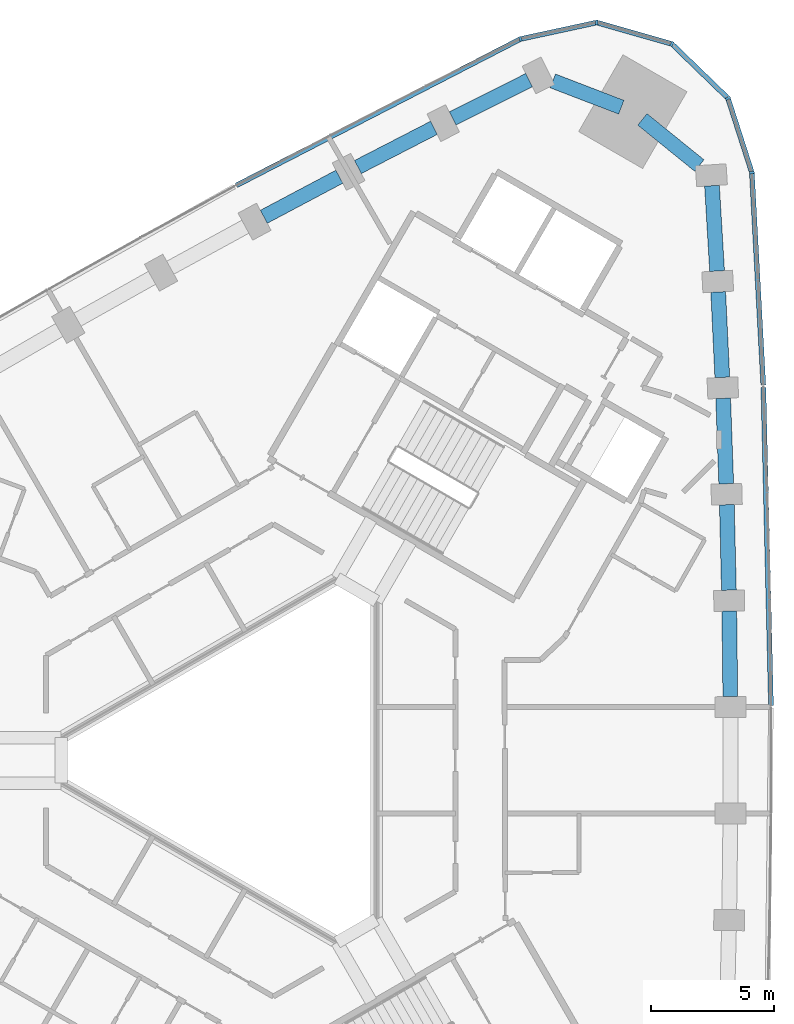
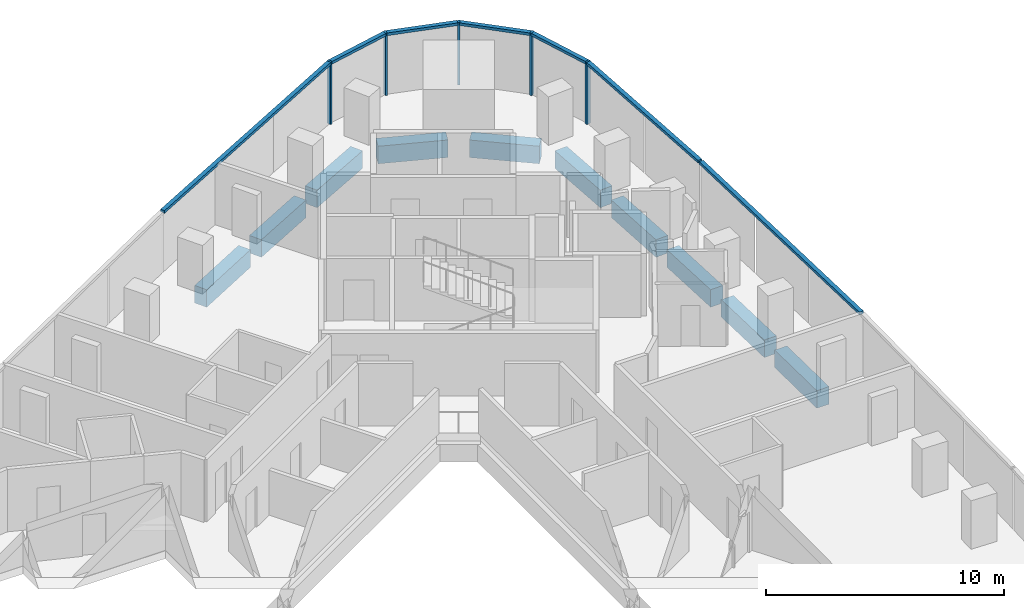
# One storey, part 5 of 13: 12 members, 10 beams, 2 elements without a shape of their own.
"""IFC4 building model written with IfcOpenShell, lengths in metres."""

from ifc_helpers import new_model, si_unit, direction, frame, origin, origin_2d, place, context, subcontext, project, spatial, rectangle, extrude, material, material_profile, profile_set, type_object, element, aggregate, save


model = new_model("IFC4")

# Units and contexts
model_context = context("Model", 3, precision=1e-05, world=origin(), true_north=direction((0.0, 1.0)))
body_context = subcontext(model_context, "Body", "Model", "MODEL_VIEW")
ifc_project = project(units=[si_unit("LENGTHUNIT", "METRE"), si_unit("AREAUNIT", "SQUARE_METRE"), si_unit("VOLUMEUNIT", "CUBIC_METRE"), si_unit("PLANEANGLEUNIT", "RADIAN"), si_unit("MASSUNIT", "GRAM", prefix="KILO")], contexts=[model_context])

# Site, building, storey
site_placement = place(None, origin())
site = spatial("IfcSite", under=ifc_project, at=site_placement, CompositionType="ELEMENT")
building_placement = place(site_placement, origin())
building = spatial("IfcBuilding", under=site, at=building_placement, Name="Tamra Quay Hotel Tower", CompositionType="ELEMENT")
storey_placement = place(building_placement, frame((0.0, 0.0, 161.199951171875)))
storey = spatial("IfcBuildingStorey", under=building, at=storey_placement, Name="L40", CompositionType="ELEMENT", Elevation=161.199951171875)

# Curtain wall, members
ifc_material_1 = material(Name="Aluminium 6063 anodised dark grey", Category="aluminium")
curtain_wall_type_1 = type_object("IfcCurtainWallType", Name="CW1 CURTAIN WALL", PredefinedType="NOTDEFINED", material=ifc_material_1)
curtain_wall_1_placement = place(storey_placement, origin())
curtain_wall_1 = element("IfcCurtainWall", 1, at=curtain_wall_1_placement, inside=storey, type_object=curtain_wall_type_1, Name="CW1 east face L40", PredefinedType="NOTDEFINED")
ifc_material_profile_1 = material_profile(ifc_material_1, rectangle(XDim=0.199951171875, YDim=0.10009765625, at=origin_2d()), Name="MULLION 100X200")
ifc_profile_set_1 = profile_set([ifc_material_profile_1], Name="Aluminium 6063 anodised dark grey")
member_type_1 = type_object("IfcMemberType", Name="MULLION CW1 Z3", PredefinedType="MULLION", material=ifc_profile_set_1)
member_1_placement = place(storey_placement, frame((20.042236328125, 23.864990234375, 0.0), z_axis=(0.0, 0.0, 1.0), x_axis=(0.982883191402, 0.184229834881, 0.0)))
member_1 = element("IfcMember", 2, at=member_1_placement, type_object=member_type_1, Name="CW1 mullion L40.E.12", PredefinedType="MULLION", context=body_context, shape_type="SweptSolid", body=[
    extrude(rectangle(XDim=0.199951171875, YDim=0.10009765625, at=origin_2d()), origin(), (0.0, 0.0, 1.0), 3.199951171875),
])
member_2_placement = place(storey_placement, frame((19.072265625, 26.883544921875, 0.0), z_axis=(0.0, 0.0, 1.0), x_axis=(0.849197833806, 0.52807484229, 0.0)))
member_2 = element("IfcMember", 3, at=member_2_placement, type_object=member_type_1, Name="CW1 mullion L40.E.13", PredefinedType="MULLION", context=body_context, shape_type="SweptSolid", body=[
    extrude(rectangle(XDim=0.199951171875, YDim=0.10009765625, at=origin_2d()), origin(), (0.0, 0.0, 1.0), 3.199951171875),
])
member_3_placement = place(storey_placement, frame((16.794189453125, 29.088134765625, 0.0), z_axis=(0.0, 0.0, 1.0), x_axis=(0.5, 0.866025403784, 0.0)))
member_3 = element("IfcMember", 4, at=member_3_placement, type_object=member_type_1, Name="CW1 mullion L40.E.14", PredefinedType="MULLION", context=body_context, shape_type="SweptSolid", body=[
    extrude(rectangle(XDim=0.199951171875, YDim=0.10009765625, at=origin_2d()), origin(), (0.0, 0.0, 1.0), 3.199951171875),
])
member_4_placement = place(storey_placement, frame((13.74560546875, 29.958740234375, 0.0), z_axis=(0.0, 0.0, 1.0), x_axis=(0.032727311619, 0.99946431806, 0.0)))
member_4 = element("IfcMember", 5, at=member_4_placement, type_object=member_type_1, Name="CW1 mullion L40.E.15", PredefinedType="MULLION", context=body_context, shape_type="SweptSolid", body=[
    extrude(rectangle(XDim=0.199951171875, YDim=0.10009765625, at=origin_2d()), origin(), (0.0, 0.0, 1.0), 3.199951171875),
])

# Curtain wall, member
curtain_wall_type_2 = type_object("IfcCurtainWallType", Name="CW2 CURTAIN WALL", PredefinedType="NOTDEFINED", material=ifc_material_1)
curtain_wall_2_placement = place(storey_placement, origin())
curtain_wall_2 = element("IfcCurtainWall", 6, at=curtain_wall_2_placement, inside=storey, type_object=curtain_wall_type_2, Name="CW2 north-west face L40", PredefinedType="NOTDEFINED")
ifc_material_profile_2 = material_profile(ifc_material_1, rectangle(XDim=0.199951171875, YDim=0.10009765625, at=origin_2d()), Name="MULLION 100X200")
ifc_profile_set_2 = profile_set([ifc_material_profile_2], Name="Aluminium 6063 anodised dark grey")
member_type_2 = type_object("IfcMemberType", Name="MULLION CW2 Z3", PredefinedType="MULLION", material=ifc_profile_set_2)
member_5_placement = place(storey_placement, frame((10.646728515625, 29.28955078125, 0.0), z_axis=(0.0, 0.0, 1.0), x_axis=(-0.331893878559, 0.943316730147, 0.0)))
member_5 = element("IfcMember", 7, at=member_5_placement, type_object=member_type_2, Name="CW2 mullion L40.NW.1", PredefinedType="MULLION", context=body_context, shape_type="SweptSolid", body=[
    extrude(rectangle(XDim=0.199951171875, YDim=0.10009765625, at=origin_2d()), origin(), (0.0, 0.0, 1.0), 3.199951171875),
])

# Beams
ifc_material_2 = material(Name="Concrete M60", Category="concrete")
ifc_material_profile_3 = material_profile(ifc_material_2, rectangle(XDim=0.60009765625, YDim=0.89990234375, at=origin_2d()), Name="SPANDREL BEAM RC 600x900")
ifc_profile_set_3 = profile_set([ifc_material_profile_3], Name="Concrete M60")
beam_type = type_object("IfcBeamType", Name="SPANDREL BEAM RC 600x900", PredefinedType="SPANDREL", material=ifc_profile_set_3)
beam_1_placement = place(storey_placement, frame((19.165771484375, 2.586181640625, -0.849853515625), z_axis=(-0.011951617666, 0.999928576867, 0.0), x_axis=(-0.999928576867, -0.011951617666, 0.0)))
element("IfcBeam", 8, at=beam_1_placement, inside=storey, type_object=beam_type, Name="BM-SP3-006-L40", PredefinedType="SPANDREL", context=body_context, shape_type="SweptSolid", body=[
    extrude(rectangle(XDim=0.60009765625, YDim=0.89990234375, at=origin_2d()), origin(), (0.0, 0.0, 1.0), 3.47265625),
])
beam_2_placement = place(storey_placement, frame((19.10888671875, 6.90869140625, -0.849853515625), z_axis=(-0.023906514803, 0.999714198434, 0.0), x_axis=(-0.999714198434, -0.023906514803, 0.0)))
element("IfcBeam", 9, at=beam_2_placement, inside=storey, type_object=beam_type, Name="BM-SP3-007-L40", PredefinedType="SPANDREL", context=body_context, shape_type="SweptSolid", body=[
    extrude(rectangle(XDim=0.60009765625, YDim=0.89990234375, at=origin_2d()), origin(), (0.0, 0.0, 1.0), 3.47216796875),
])
beam_3_placement = place(storey_placement, frame((19.00048828125, 11.2294921875, -0.849853515625), z_axis=(-0.035786826945, 0.999359446354, 0.0), x_axis=(-0.999359446354, -0.035786826945, 0.0)))
element("IfcBeam", 10, at=beam_3_placement, inside=storey, type_object=beam_type, Name="BM-SP3-008-L40", PredefinedType="SPANDREL", context=body_context, shape_type="SweptSolid", body=[
    extrude(rectangle(XDim=0.60009765625, YDim=0.89990234375, at=origin_2d()), origin(), (0.0, 0.0, 1.0), 3.472412109375),
])
beam_4_placement = place(storey_placement, frame((18.840576171875, 15.548828125, -0.849853515625), z_axis=(-0.047732145575, 0.998860171535, 0.0), x_axis=(-0.998860171535, -0.047732145575, 0.0)))
element("IfcBeam", 11, at=beam_4_placement, inside=storey, type_object=beam_type, Name="BM-SP3-009-L40", PredefinedType="SPANDREL", context=body_context, shape_type="SweptSolid", body=[
    extrude(rectangle(XDim=0.60009765625, YDim=0.89990234375, at=origin_2d()), origin(), (0.0, 0.0, 1.0), 3.472900390625),
])
beam_5_placement = place(storey_placement, frame((18.629150390625, 19.86669921875, -0.849853515625), z_axis=(-0.059620475238, 0.998221117254, 0.0), x_axis=(-0.998221117254, -0.059620475238, 0.0)))
element("IfcBeam", 12, at=beam_5_placement, inside=storey, type_object=beam_type, Name="BM-SP3-010-L40", PredefinedType="SPANDREL", context=body_context, shape_type="SweptSolid", body=[
    extrude(rectangle(XDim=0.60009765625, YDim=0.89990234375, at=origin_2d()), origin(), (0.0, 0.0, 1.0), 3.472412109375),
])
beam_6_placement = place(storey_placement, frame((17.909912109375, 24.151123046875, -0.849853515625), z_axis=(-0.777183767602, 0.629273701482, 0.0), x_axis=(-0.629273701482, -0.777183767602, 0.0)))
element("IfcBeam", 13, at=beam_6_placement, inside=storey, type_object=beam_type, Name="BM-SP3-011-L40", PredefinedType="SPANDREL", context=body_context, shape_type="SweptSolid", body=[
    extrude(rectangle(XDim=0.60009765625, YDim=0.89990234375, at=origin_2d()), origin(), (0.0, 0.0, 1.0), 2.977783203125),
])
beam_7_placement = place(storey_placement, frame((14.74072265625, 26.5185546875, -0.849853515625), z_axis=(-0.933527198951, 0.358506581278, 0.0), x_axis=(-0.358506581278, -0.933527198951, 0.0)))
element("IfcBeam", 14, at=beam_7_placement, inside=storey, type_object=beam_type, Name="BM-SP3-012-L40", PredefinedType="SPANDREL", context=body_context, shape_type="SweptSolid", body=[
    extrude(rectangle(XDim=0.60009765625, YDim=0.89990234375, at=origin_2d()), origin(), (0.0, 0.0, 1.0), 2.97802734375),
])
beam_8_placement = place(storey_placement, frame((10.995849609375, 27.620361328125, -0.849853515625), z_axis=(-0.894314670292, -0.447438566174, 0.0), x_axis=(0.447438566174, -0.894314670292, 0.0)))
element("IfcBeam", 15, at=beam_8_placement, inside=storey, type_object=beam_type, Name="BM-SP3-013-L40", PredefinedType="SPANDREL", context=body_context, shape_type="SweptSolid", body=[
    extrude(rectangle(XDim=0.60009765625, YDim=0.89990234375, at=origin_2d()), origin(), (0.0, 0.0, 1.0), 3.472412109375),
])
beam_9_placement = place(storey_placement, frame((7.132568359375, 25.681640625, -0.849853515625), z_axis=(-0.888919913451, -0.458062645792, 0.0), x_axis=(0.458062645792, -0.888919913451, 0.0)))
element("IfcBeam", 16, at=beam_9_placement, inside=storey, type_object=beam_type, Name="BM-SP3-014-L40", PredefinedType="SPANDREL", context=body_context, shape_type="SweptSolid", body=[
    extrude(rectangle(XDim=0.60009765625, YDim=0.89990234375, at=origin_2d()), origin(), (0.0, 0.0, 1.0), 3.472900390625),
])
beam_10_placement = place(storey_placement, frame((3.292236328125, 23.697021484375, -0.849853515625), z_axis=(-0.883411391477, -0.468598243071, 0.0), x_axis=(0.468598243071, -0.883411391477, 0.0)))
element("IfcBeam", 17, at=beam_10_placement, inside=storey, type_object=beam_type, Name="BM-SP3-015-L40", PredefinedType="SPANDREL", context=body_context, shape_type="SweptSolid", body=[
    extrude(rectangle(XDim=0.60009765625, YDim=0.89990234375, at=origin_2d()), origin(), (0.0, 0.0, 1.0), 3.472412109375),
])

# Member
ifc_material_profile_4 = material_profile(ifc_material_1, rectangle(XDim=0.199951171875, YDim=0.139892578125, at=origin_2d()), Name="TRANSOM 200X140")
ifc_profile_set_4 = profile_set([ifc_material_profile_4], Name="Aluminium 6063 anodised dark grey")
member_type_3 = type_object("IfcMemberType", Name="TRANSOM CW1 Z3", PredefinedType="USERDEFINED", material=ifc_profile_set_4)
member_6_placement = place(storey_placement, frame((20.819091796875, 2.22119140625, 3.130126953125), z_axis=(-0.023891765039, 0.999714551041, 0.0), x_axis=(-0.999714551041, -0.023891765039, 0.0)))
member_6 = element("IfcMember", 18, at=member_6_placement, type_object=member_type_3, Name="CW1 transom L40.E.7", ObjectType="TRANSOM", PredefinedType="USERDEFINED", context=body_context, shape_type="SweptSolid", body=[
    extrude(rectangle(XDim=0.199951171875, YDim=0.139892578125, at=origin_2d()), origin(), (0.0, 0.0, 1.0), 12.926513671875),
])

member_7_placement = place(storey_placement, frame((20.506103515625, 15.243896484375, 3.130126953125), z_axis=(-0.053699324936, 0.998557150343, 0.0), x_axis=(-0.998557150343, -0.053699324936, 0.0)))
member_7 = element("IfcMember", 19, at=member_7_placement, type_object=member_type_3, Name="CW1 transom L40.E.10", ObjectType="TRANSOM", PredefinedType="USERDEFINED", context=body_context, shape_type="SweptSolid", body=[
    extrude(rectangle(XDim=0.199951171875, YDim=0.139892578125, at=origin_2d()), origin(), (0.0, 0.0, 1.0), 8.583740234375),
])

member_8_placement = place(storey_placement, frame((20.02685546875, 23.91259765625, 3.130126953125), z_axis=(-0.30588048859, 0.952069916918, 0.0), x_axis=(-0.952069916918, -0.30588048859, 0.0)))
member_8 = element("IfcMember", 20, at=member_8_placement, type_object=member_type_3, Name="CW1 transom L40.E.12", ObjectType="TRANSOM", PredefinedType="USERDEFINED", context=body_context, shape_type="SweptSolid", body=[
    extrude(rectangle(XDim=0.199951171875, YDim=0.139892578125, at=origin_2d()), origin(), (0.0, 0.0, 1.0), 3.070556640625),
])

member_9_placement = place(storey_placement, frame((19.036376953125, 26.918212890625, 3.130126953125), z_axis=(-0.71858163235, 0.695442619955, 0.0), x_axis=(-0.695442619955, -0.71858163235, 0.0)))
member_9 = element("IfcMember", 21, at=member_9_placement, type_object=member_type_3, Name="CW1 transom L40.E.13", ObjectType="TRANSOM", PredefinedType="USERDEFINED", context=body_context, shape_type="SweptSolid", body=[
    extrude(rectangle(XDim=0.199951171875, YDim=0.139892578125, at=origin_2d()), origin(), (0.0, 0.0, 1.0), 3.0703125),
])

member_10_placement = place(storey_placement, frame((16.74609375, 29.10205078125, 3.130126953125), z_axis=(-0.961568942949, 0.274563595469, 0.0), x_axis=(-0.274563595469, -0.961568942949, 0.0)))
member_10 = element("IfcMember", 22, at=member_10_placement, type_object=member_type_3, Name="CW1 transom L40.E.14", ObjectType="TRANSOM", PredefinedType="USERDEFINED", context=body_context, shape_type="SweptSolid", body=[
    extrude(rectangle(XDim=0.199951171875, YDim=0.139892578125, at=origin_2d()), origin(), (0.0, 0.0, 1.0), 3.0703125),
])

member_11_placement = place(storey_placement, frame((13.69677734375, 29.9482421875, 3.130126953125), z_axis=(-0.977462525021, -0.211109005445, 0.0), x_axis=(0.211109005445, -0.977462525021, 0.0)))
member_11 = element("IfcMember", 23, at=member_11_placement, type_object=member_type_3, Name="CW1 transom L40.E.15", ObjectType="TRANSOM", PredefinedType="USERDEFINED", context=body_context, shape_type="SweptSolid", body=[
    extrude(rectangle(XDim=0.199951171875, YDim=0.139892578125, at=origin_2d()), origin(), (0.0, 0.0, 1.0), 3.0703125),
])

aggregate(curtain_wall_1, [member_6, member_7, member_1, member_8, member_2, member_9, member_3, member_10, member_4, member_11])

ifc_material_profile_5 = material_profile(ifc_material_1, rectangle(XDim=0.199951171875, YDim=0.139892578125, at=origin_2d()), Name="TRANSOM 200X140")
ifc_profile_set_5 = profile_set([ifc_material_profile_5], Name="Aluminium 6063 anodised dark grey")
member_type_4 = type_object("IfcMemberType", Name="TRANSOM CW2 Z3", PredefinedType="USERDEFINED", material=ifc_profile_set_5)
member_12_placement = place(storey_placement, frame((10.60205078125, 29.26708984375, 3.130126953125), z_axis=(-0.888917461153, -0.45806740471, 0.0), x_axis=(0.45806740471, -0.888917461153, 0.0)))
member_12 = element("IfcMember", 24, at=member_12_placement, type_object=member_type_4, Name="CW2 transom L40.NW.1", ObjectType="TRANSOM", PredefinedType="USERDEFINED", context=body_context, shape_type="SweptSolid", body=[
    extrude(rectangle(XDim=0.199951171875, YDim=0.139892578125, at=origin_2d()), origin(), (0.0, 0.0, 1.0), 12.92578125),
])

aggregate(curtain_wall_2, [member_5, member_12])

save(model, "model.ifc")
